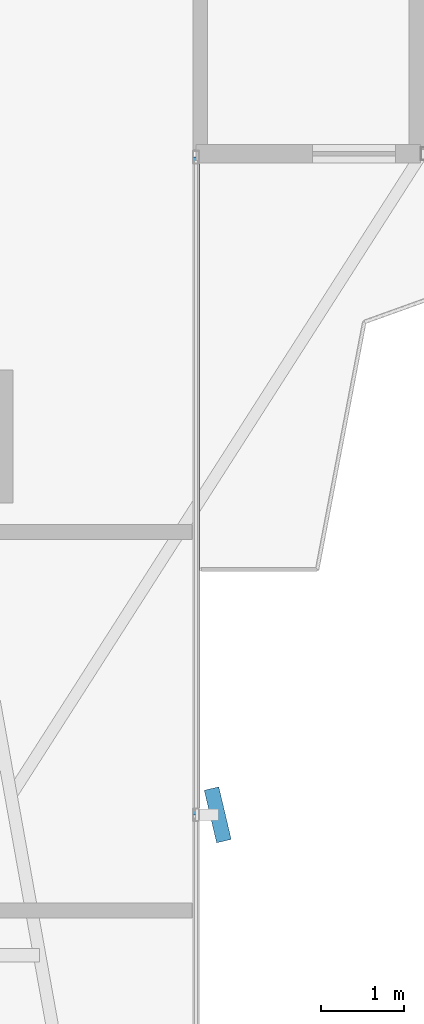
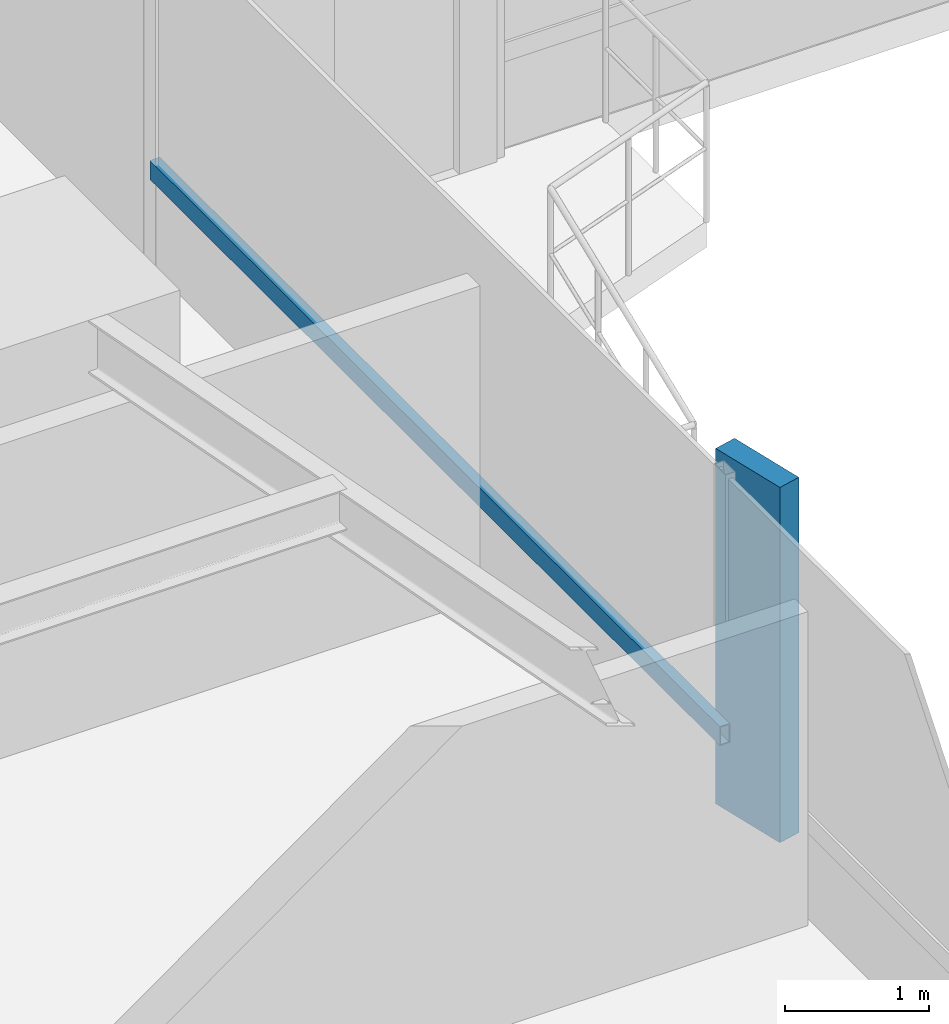
# One storey, part 5 of 25: 2 members, 1 element without a shape of its own.
"""IFC4 building model written with IfcOpenShell, lengths in metres."""

from ifc_helpers import new_model, si_unit, direction, frame, origin, origin_2d, place, context, subcontext, project, spatial, rectangle, hollow_rectangle, extrude, source, transform, mapped, material, material_profile, profile_set, type_object, element, aggregate, save


model = new_model("IFC4")

# Units and contexts
model_context = context("Model", 3, precision=1e-05, world=origin(), true_north=direction((0.0, 1.0)))
body_context = subcontext(model_context, "Body", "Model", "MODEL_VIEW")
ifc_project = project(units=[si_unit("LENGTHUNIT", "METRE"), si_unit("AREAUNIT", "SQUARE_METRE"), si_unit("VOLUMEUNIT", "CUBIC_METRE"), si_unit("PLANEANGLEUNIT", "RADIAN"), si_unit("MASSUNIT", "GRAM", prefix="KILO")], contexts=[model_context])

# Site, building, storey
site_placement = place(None, origin())
site = spatial("IfcSite", under=ifc_project, at=site_placement, CompositionType="ELEMENT")
building_placement = place(site_placement, origin())
building = spatial("IfcBuilding", under=site, at=building_placement, Name="Sahyath Konkavel Grand Hotel", CompositionType="ELEMENT")
storey_placement = place(building_placement, frame((0.0, 0.0, 33.14990234375)))
storey = spatial("IfcBuildingStorey", under=building, at=storey_placement, Name="L08", CompositionType="ELEMENT", Elevation=33.14990234375)

# Curtain wall, members
ifc_material_1 = material(Name="Anodised Bronze Aluminium & Low-E Glazing", Category="aluminium")
curtain_wall_type = type_object("IfcCurtainWallType", Name="CW-ZONE1", PredefinedType="NOTDEFINED", material=ifc_material_1)
curtain_wall_placement = place(storey_placement, origin())
curtain_wall = element("IfcCurtainWall", 1, at=curtain_wall_placement, inside=storey, type_object=curtain_wall_type, Name="L08 Unitised Curtain Wall F31", PredefinedType="NOTDEFINED")
ifc_material_2 = material(Name="Warm Buff Sandstone Cladding on Concrete C50/60", Category="masonry")
ifc_material_profile_1 = material_profile(ifc_material_2, rectangle(XDim=0.179931640625, YDim=0.64990234375, at=origin_2d()), Name="FIN 180x650")
ifc_profile_set_1 = profile_set([ifc_material_profile_1], Name="Warm Buff Sandstone Cladding on Concrete C50/60")
member_type_1 = type_object("IfcMemberType", Name="FIN-SANDSTONE-650", PredefinedType="MULLION", material=ifc_profile_set_1)
shared_shape_1 = source(origin(), body_context, "Body", "SweptSolid", [
    extrude(rectangle(XDim=0.179931640625, YDim=0.64990234375, at=origin_2d()), origin(), (0.0, 0.0, 1.0), 3.010009765625),
])
member_1_placement = place(storey_placement, frame((7.06005859375, -14.75, 0.050048828125), z_axis=(0.0, 0.0, 1.0), x_axis=(0.973138706701, 0.230219585439, 0.0)))
member_1 = element("IfcMember", 2, at=member_1_placement, type_object=member_type_1, Name="L08 Sandstone Vertical Solar Fin FIN F31-1", PredefinedType="MULLION", context=body_context, shape_type="MappedRepresentation", body=[
    mapped(shared_shape_1, transform((0.0, 0.0, 0.0), scale=1.0)),
])
ifc_material_3 = material(Name="Anodised Bronze Aluminium", Category="aluminium")
ifc_material_profile_2 = material_profile(ifc_material_3, hollow_rectangle(XDim=0.080078125, YDim=0.159912109375, WallThickness=0.006103515625, at=origin_2d()), Name="RHS 160x80x6")
ifc_profile_set_2 = profile_set([ifc_material_profile_2], Name="Anodised Bronze Aluminium")
member_type_2 = type_object("IfcMemberType", Name="CW-TRN-160", PredefinedType="USERDEFINED", material=ifc_profile_set_2)
shared_shape_2 = source(origin(), body_context, "Body", "SweptSolid", [
    extrude(hollow_rectangle(XDim=0.080078125, YDim=0.159912109375, WallThickness=0.006103515625, at=origin_2d()), origin(), (0.0, 0.0, 1.0), 7.909912109375),
])
member_2_placement = place(storey_placement, frame((6.800048828125, -14.75, 0.85009765625), z_axis=(0.0, 1.0, 0.0), x_axis=(-1.0, 0.0, 0.0)))
member_2 = element("IfcMember", 3, at=member_2_placement, type_object=member_type_2, Name="L08 Curtain Wall Transom F31-1-spandrel", ObjectType="TRANSOM", PredefinedType="USERDEFINED", context=body_context, shape_type="MappedRepresentation", body=[
    mapped(shared_shape_2, transform((0.0, 0.0, 0.0), scale=1.0)),
])
aggregate(curtain_wall, [member_1, member_2])

save(model, "model.ifc")
